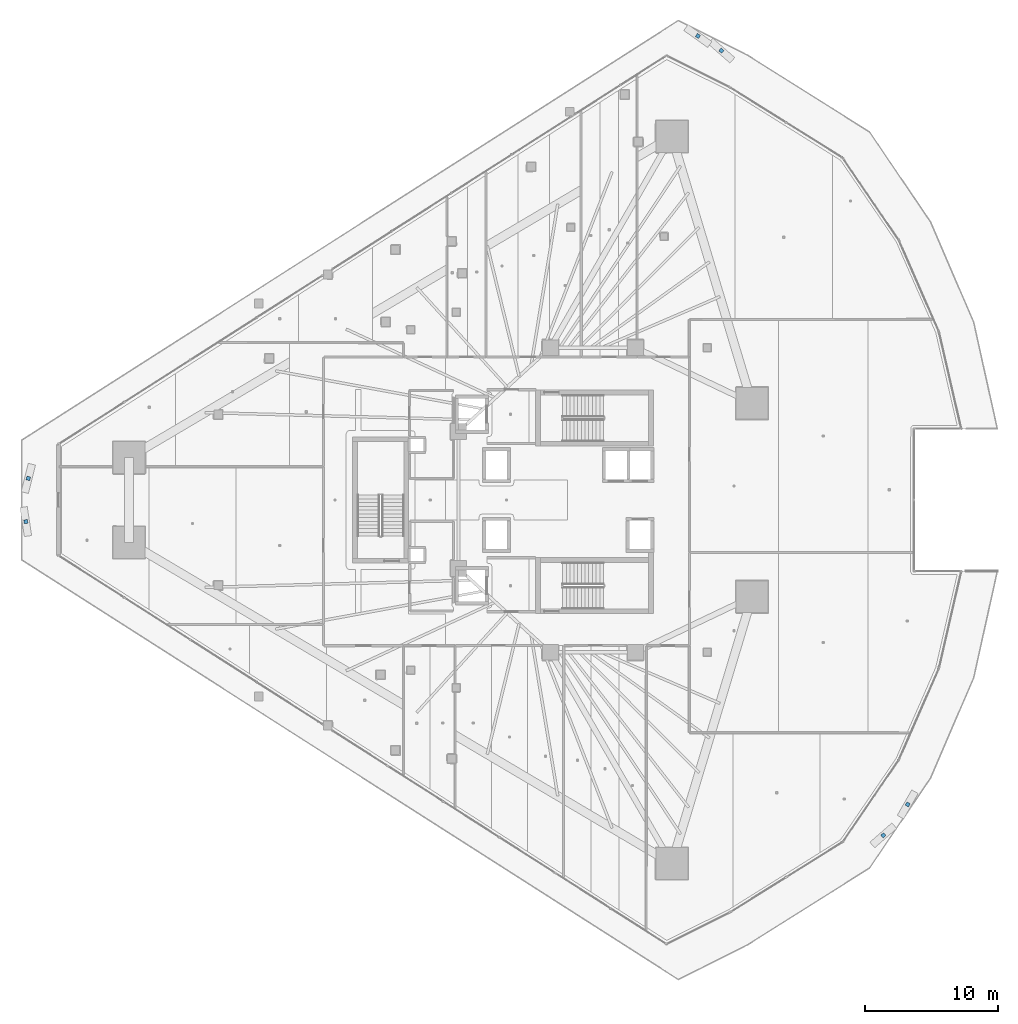
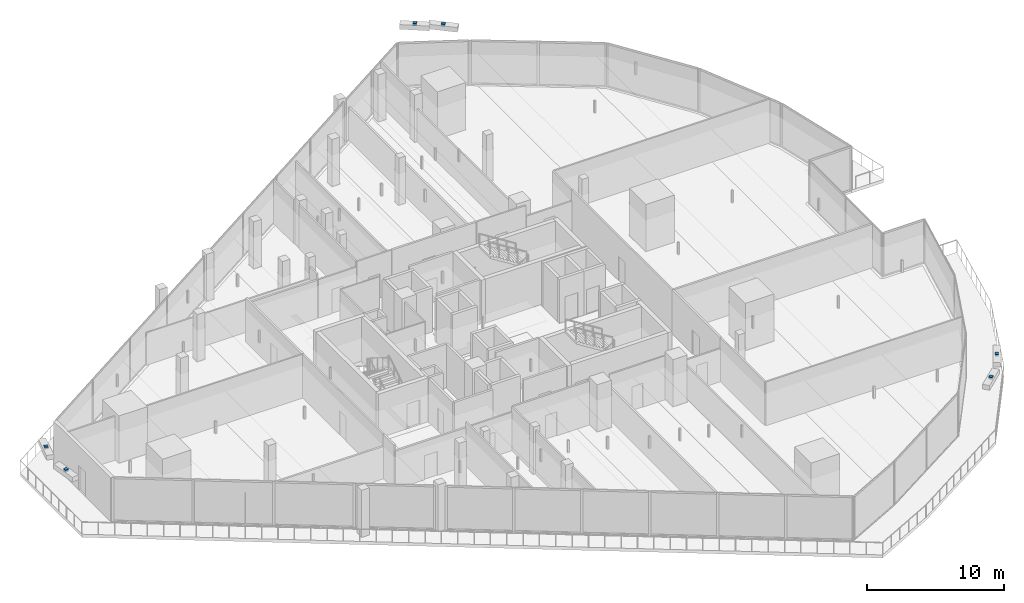
# One storey, part 35 of 44: 6 discrete accessories.
"""IFC4 building model written with IfcOpenShell, lengths in metres."""

from ifc_helpers import new_model, si_unit, direction, frame, origin, origin_2d, place, context, subcontext, project, spatial, rectangle, extrude, material, type_object, element, save


model = new_model("IFC4")

# Units and contexts
model_context = context("Model", 3, precision=1e-05, world=origin(), true_north=direction((0.0, 1.0)))
body_context = subcontext(model_context, "Body", "Model", "MODEL_VIEW")
ifc_project = project(units=[si_unit("LENGTHUNIT", "METRE"), si_unit("AREAUNIT", "SQUARE_METRE"), si_unit("VOLUMEUNIT", "CUBIC_METRE"), si_unit("PLANEANGLEUNIT", "RADIAN"), si_unit("MASSUNIT", "GRAM", prefix="KILO")], contexts=[model_context])

# Site, building, storey
site_placement = place(None, origin())
site = spatial("IfcSite", under=ifc_project, at=site_placement, CompositionType="ELEMENT")
building_placement = place(site_placement, origin())
building = spatial("IfcBuilding", under=site, at=building_placement, Name="Qorvath Tower", CompositionType="ELEMENT")
storey_placement = place(building_placement, frame((0.0, 0.0, 45.0)))
storey = spatial("IfcBuildingStorey", under=building, at=storey_placement, Name="L09", CompositionType="ELEMENT", Elevation=45.0)

# Discrete accessories
ifc_material = material(Name="Galvanised steel bracket", Category="steel")
discrete_accessory_type = type_object("IfcDiscreteAccessoryType", Name="DA-BRACKET", PredefinedType="BRACKET", material=ifc_material)
for number, where, z_axis, x_axis, name in (
    (1, (-62.855712890625, 1.62353515625, 3.77978515625), (0.0, 0.0, 1.0), (-0.242352017134, -0.970188383661, 0.0), "Louvre Wave Support Bracket L09-01"),
    (2, (-63.044677734375, -1.62353515625, 3.77978515625), (0.0, 0.0, 1.0), (0.150075466905, -0.988674544141, 0.0), "Louvre Wave Support Bracket L09-02"),
    (3, (1.443115234375, -25.218994140625, 3.77978515625), (0.0, 0.0, 1.0), (0.75200549541, 0.659156836325, 0.0), "Louvre Wave Support Bracket L09-03"),
    (4, (3.2763671875, -22.89404296875, 3.77978515625), (0.0, 0.0, 1.0), (0.494762643493, 0.869028150639, 0.0), "Louvre Wave Support Bracket L09-04"),
    (5, (-10.736328125, 33.79150390625, 3.77978515625), (0.0, 0.0, 1.0), (-0.752465490396, 0.658631676859, 0.0), "Louvre Wave Support Bracket L09-05"),
    (6, (-12.504638671875, 34.89306640625, 3.77978515625), (0.0, 0.0, 1.0), (-0.815188453442, 0.579195809183, 0.0), "Louvre Wave Support Bracket L09-06"),
):
    element("IfcDiscreteAccessory", number, at=place(storey_placement, frame(where, z_axis=z_axis, x_axis=x_axis)), inside=storey, type_object=discrete_accessory_type, Name=name, PredefinedType="NOTDEFINED", context=body_context, shape_type="SweptSolid", body=[
        extrude(rectangle(XDim=0.280029296875, YDim=0.280029296875, at=origin_2d()), origin(), (0.0, 0.0, 1.0), 0.199951171875),
    ])

save(model, "model.ifc")
